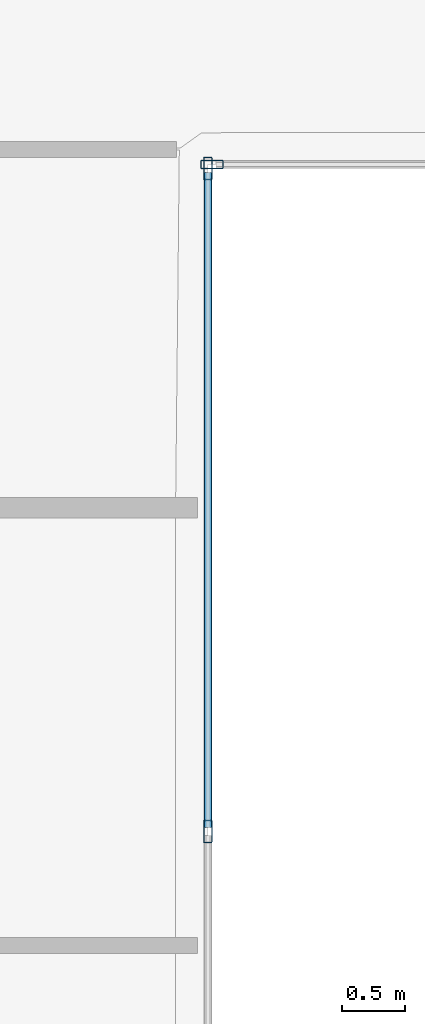
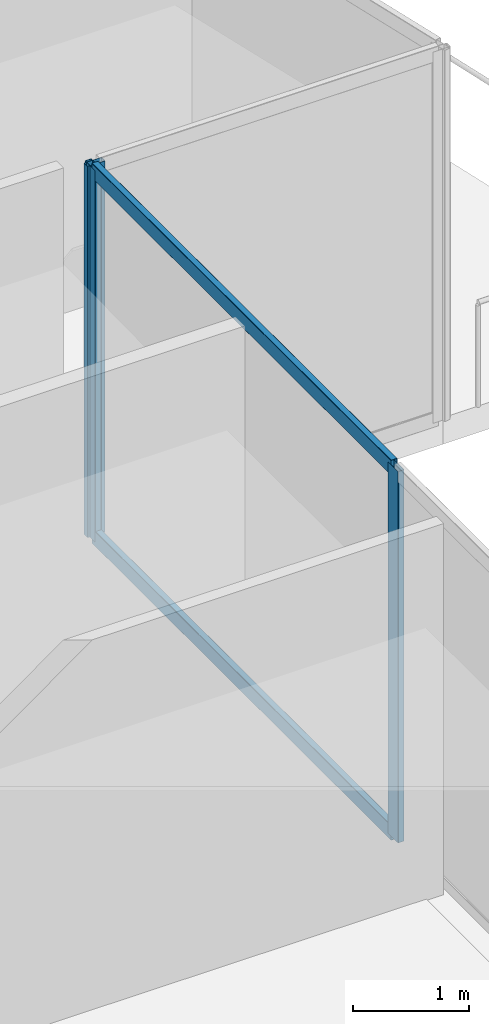
# One storey, part 24 of 52: 5 members, 2 elements without a shape of their own.
"""IFC4 building model written with IfcOpenShell, lengths in metres."""

from ifc_helpers import new_model, si_unit, direction, frame, origin, origin_2d, place, context, subcontext, project, spatial, hollow_rectangle, extrude, material, layer, layer_set, material_profile, profile_set, type_object, element, aggregate, save


model = new_model("IFC4")

# Units and contexts
model_context = context("Model", 3, precision=1e-05, world=origin(), true_north=direction((0.0, 1.0)))
body_context = subcontext(model_context, "Body", "Model", "MODEL_VIEW")
ifc_project = project(units=[si_unit("LENGTHUNIT", "METRE"), si_unit("AREAUNIT", "SQUARE_METRE"), si_unit("VOLUMEUNIT", "CUBIC_METRE"), si_unit("PLANEANGLEUNIT", "RADIAN"), si_unit("MASSUNIT", "GRAM", prefix="KILO")], contexts=[model_context])

# Site, building, storey
site_placement = place(None, origin())
site = spatial("IfcSite", under=ifc_project, at=site_placement, CompositionType="ELEMENT")
building_placement = place(site_placement, origin())
building = spatial("IfcBuilding", under=site, at=building_placement, Name="Qorvath Tower", CompositionType="ELEMENT")
storey_placement = place(building_placement, frame((0.0, 0.0, 61.800048828125)))
storey = spatial("IfcBuildingStorey", under=building, at=storey_placement, Name="L13", CompositionType="ELEMENT", Elevation=61.800048828125)

# Curtain wall, members
ifc_material_1 = material(Name="Anodised aluminium and triple low-E glass", Category="aluminium")
ifc_layer = layer(ifc_material_1, 0.179931640625)
ifc_layer_set = layer_set([ifc_layer], Name="CW-SYS-2")
curtain_wall_type = type_object("IfcCurtainWallType", Name="CW-SYS-2", PredefinedType="NOTDEFINED", material=ifc_layer_set)
curtain_wall_1_placement = place(storey_placement, origin())
curtain_wall_1 = element("IfcCurtainWall", 1, at=curtain_wall_1_placement, inside=storey, type_object=curtain_wall_type, Name="Curtain Wall CW-2 CW-T-L13-9.1", PredefinedType="NOTDEFINED")
ifc_material_2 = material(Name="Anodised aluminium 6063-T6", Category="aluminium")
ifc_material_profile_1 = material_profile(ifc_material_2, hollow_rectangle(XDim=0.06494140625, YDim=0.179931640625, WallThickness=0.00341796875, InnerFilletRadius=0.00341796875, OuterFilletRadius=0.007080078125, at=origin_2d()), Name="CWM 180x65")
ifc_profile_set_1 = profile_set([ifc_material_profile_1], Name="Anodised aluminium 6063-T6")
member_type_1 = type_object("IfcMemberType", Name="CWM-180", PredefinedType="MULLION", material=ifc_profile_set_1)
member_1_placement = place(storey_placement, frame((3.219482421875, 0.0, 0.0), z_axis=(0.0, 0.0, 1.0), x_axis=(-1.0, 0.0, 0.0)))
member_1 = element("IfcMember", 2, at=member_1_placement, type_object=member_type_1, Name="CW-2 mullion 2", PredefinedType="MULLION", context=body_context, shape_type="SweptSolid", body=[
    extrude(hollow_rectangle(XDim=0.06494140625, YDim=0.179931640625, WallThickness=0.00341796875, InnerFilletRadius=0.00341796875, OuterFilletRadius=0.007080078125, at=origin_2d()), origin(), (0.0, 0.0, 1.0), 3.919921875),
])
member_2_placement = place(storey_placement, frame((3.219482421875, 5.238037109375, 0.0), z_axis=(0.0, 0.0, 1.0), x_axis=(-1.0, 0.0, 0.0)))
member_2 = element("IfcMember", 3, at=member_2_placement, type_object=member_type_1, Name="CW-2 mullion 3", PredefinedType="MULLION", context=body_context, shape_type="SweptSolid", body=[
    extrude(hollow_rectangle(XDim=0.06494140625, YDim=0.179931640625, WallThickness=0.00341796875, InnerFilletRadius=0.00341796875, OuterFilletRadius=0.007080078125, at=origin_2d()), origin(), (0.0, 0.0, 1.0), 3.919921875),
])

# Curtain wall, member
curtain_wall_2_placement = place(storey_placement, origin())
curtain_wall_2 = element("IfcCurtainWall", 4, at=curtain_wall_2_placement, inside=storey, type_object=curtain_wall_type, Name="Curtain Wall CW-2 CW-T-L13-10.1", PredefinedType="NOTDEFINED")
member_3_placement = place(storey_placement, frame((3.251953125, 5.2705078125, 0.0), z_axis=(0.0, 0.0, 1.0), x_axis=(0.0, 1.0, 0.0)))
member_3 = element("IfcMember", 5, at=member_3_placement, type_object=member_type_1, Name="CW-2 mullion 1", PredefinedType="MULLION", context=body_context, shape_type="SweptSolid", body=[
    extrude(hollow_rectangle(XDim=0.06494140625, YDim=0.179931640625, WallThickness=0.00341796875, InnerFilletRadius=0.00341796875, OuterFilletRadius=0.007080078125, at=origin_2d()), origin(), (0.0, 0.0, 1.0), 3.919921875),
])
aggregate(curtain_wall_2, [member_3])

# Member
ifc_material_3 = material(Name="Anodised aluminium 6063-T6", Category="aluminium")
ifc_material_profile_2 = material_profile(ifc_material_3, hollow_rectangle(XDim=0.06494140625, YDim=0.159912109375, WallThickness=0.00341796875, InnerFilletRadius=0.00341796875, OuterFilletRadius=0.007080078125, at=origin_2d()), Name="CWT 160x65")
ifc_profile_set_2 = profile_set([ifc_material_profile_2], Name="Anodised aluminium 6063-T6")
member_type_2 = type_object("IfcMemberType", Name="CWT-160", PredefinedType="USERDEFINED", material=ifc_profile_set_2)
member_4_placement = place(storey_placement, frame((3.219482421875, 0.032470703125, 0.032470703125), z_axis=(0.0, 1.0, 0.0), x_axis=(-1.0, 0.0, 0.0)))
member_4 = element("IfcMember", 6, at=member_4_placement, type_object=member_type_2, Name="CW-2 transom 2.1", ObjectType="TRANSOM", PredefinedType="USERDEFINED", context=body_context, shape_type="SweptSolid", body=[
    extrude(hollow_rectangle(XDim=0.06494140625, YDim=0.159912109375, WallThickness=0.00341796875, InnerFilletRadius=0.00341796875, OuterFilletRadius=0.007080078125, at=origin_2d()), origin(), (0.0, 0.0, 1.0), 5.173095703125),
])

member_5_placement = place(storey_placement, frame((3.219482421875, 0.032470703125, 3.887451171875), z_axis=(0.0, 1.0, 0.0), x_axis=(-1.0, 0.0, 0.0)))
member_5 = element("IfcMember", 7, at=member_5_placement, type_object=member_type_2, Name="CW-2 transom 2.2", ObjectType="TRANSOM", PredefinedType="USERDEFINED", context=body_context, shape_type="SweptSolid", body=[
    extrude(hollow_rectangle(XDim=0.06494140625, YDim=0.159912109375, WallThickness=0.00341796875, InnerFilletRadius=0.00341796875, OuterFilletRadius=0.007080078125, at=origin_2d()), origin(), (0.0, 0.0, 1.0), 5.173095703125),
])

aggregate(curtain_wall_1, [member_1, member_2, member_4, member_5])

save(model, "model.ifc")
